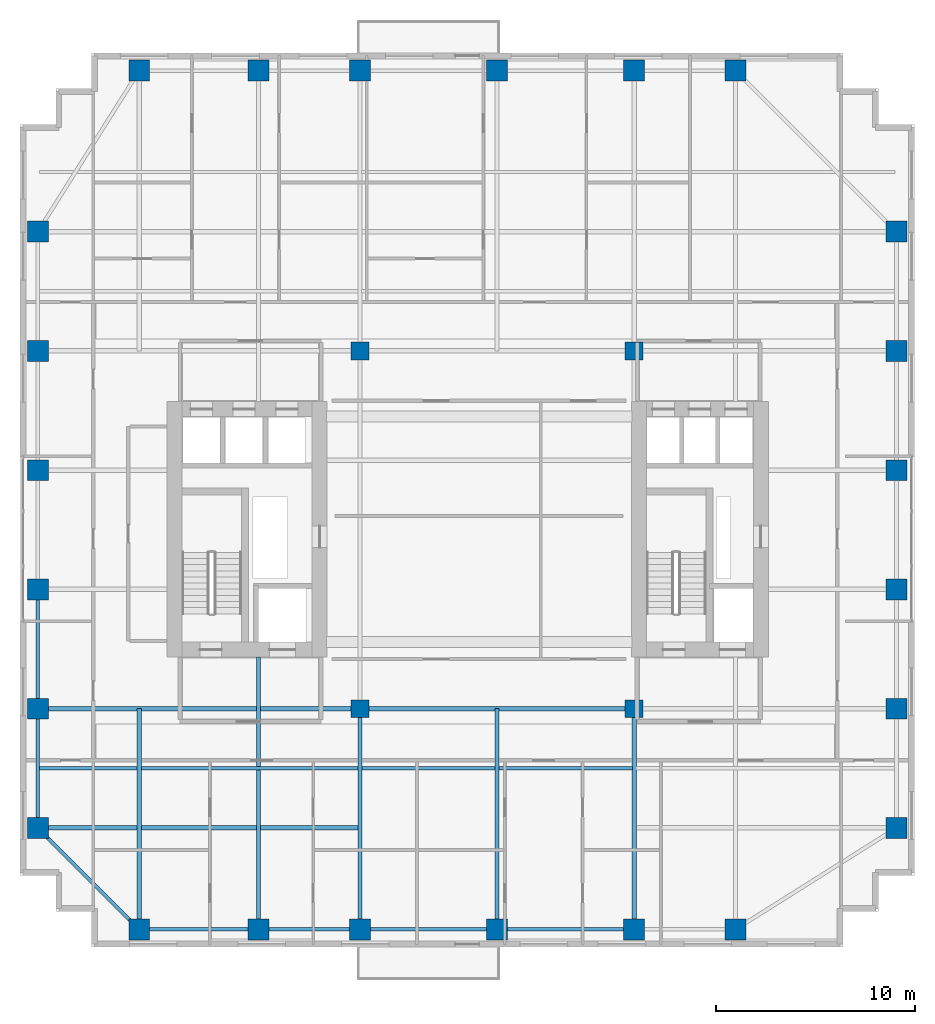
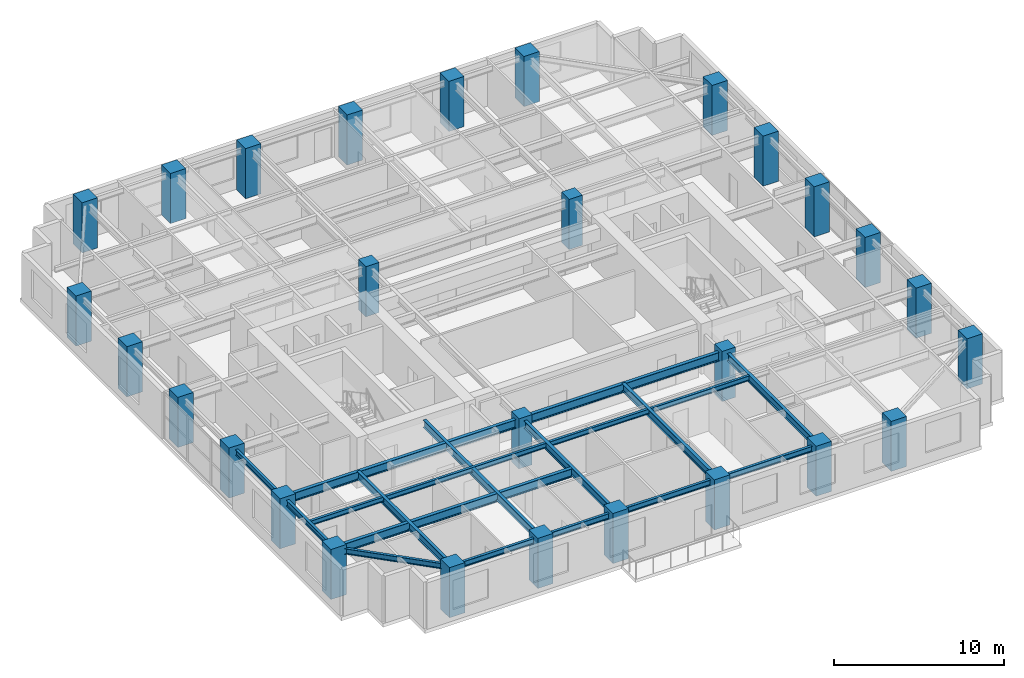
# One storey, part 1 of 16: 28 columns, 17 beams.
"""IFC4 building model written with IfcOpenShell, lengths in metres."""

from ifc_helpers import new_model, si_unit, direction, frame, origin, origin_2d, place, context, subcontext, project, spatial, rectangle, i_section, extrude, source, transform, mapped, material, material_profile, profile_set, type_object, element, save


model = new_model("IFC4")

# Units and contexts
model_context = context("Model", 3, precision=1e-05, world=origin(), true_north=direction((0.0, 1.0)))
body_context = subcontext(model_context, "Body", "Model", "MODEL_VIEW")
ifc_project = project(units=[si_unit("LENGTHUNIT", "METRE"), si_unit("AREAUNIT", "SQUARE_METRE"), si_unit("VOLUMEUNIT", "CUBIC_METRE"), si_unit("PLANEANGLEUNIT", "RADIAN"), si_unit("MASSUNIT", "GRAM", prefix="KILO")], contexts=[model_context])

# Site, building, storey
site_placement = place(None, origin())
site = spatial("IfcSite", under=ifc_project, at=site_placement, CompositionType="ELEMENT")
building_placement = place(site_placement, origin())
building = spatial("IfcBuilding", under=site, at=building_placement, Name="Khoralis Quay Care Tower", CompositionType="ELEMENT")
storey_placement = place(building_placement, frame((0.0, 0.0, 137.699951171875)))
storey = spatial("IfcBuildingStorey", under=building, at=storey_placement, Name="L36", CompositionType="ELEMENT", Elevation=137.699951171875)

# Columns
ifc_material_1 = material(Name="Concrete C65/80", Category="concrete")
ifc_material_profile_1 = material_profile(ifc_material_1, rectangle(XDim=1.050048828125, YDim=1.050048828125, at=origin_2d()), Name="Concrete C65/80")
ifc_profile_set_1 = profile_set([ifc_material_profile_1], Name="Concrete C65/80")
column_type_1 = type_object("IfcColumnType", Name="COL-C1050", PredefinedType="COLUMN", material=ifc_profile_set_1)
shared_shape_1 = source(origin(), body_context, "Body", "SweptSolid", [
    extrude(rectangle(XDim=1.050048828125, YDim=1.050048828125, at=origin_2d()), origin(), (0.0, 0.0, 1.0), 3.60009765625),
])
for number, where, z_axis, x_axis, name in (
    (1, (6.0, 0.89990234375, 0.0), (0.0, 0.0, 1.0), (1.0, 0.0, 0.0), "COL-TWR-L36-01"),
    (2, (6.0, 44.10009765625, 0.0), (0.0, 0.0, 1.0), (1.0, 0.0, 0.0), "COL-TWR-L36-02"),
    (3, (12.0, 0.89990234375, 0.0), (0.0, 0.0, 1.0), (1.0, 0.0, 0.0), "COL-TWR-L36-03"),
    (4, (12.0, 44.10009765625, 0.0), (0.0, 0.0, 1.0), (1.0, 0.0, 0.0), "COL-TWR-L36-04"),
    (5, (17.10009765625, 0.89990234375, 0.0), (0.0, 0.0, 1.0), (1.0, 0.0, 0.0), "COL-TWR-L36-05"),
    (6, (17.10009765625, 44.10009765625, 0.0), (0.0, 0.0, 1.0), (1.0, 0.0, 0.0), "COL-TWR-L36-06"),
    (7, (24.0, 0.89990234375, 0.0), (0.0, 0.0, 1.0), (1.0, 0.0, 0.0), "COL-TWR-L36-07"),
    (8, (24.0, 44.10009765625, 0.0), (0.0, 0.0, 1.0), (1.0, 0.0, 0.0), "COL-TWR-L36-08"),
    (9, (30.89990234375, 0.89990234375, 0.0), (0.0, 0.0, 1.0), (1.0, 0.0, 0.0), "COL-TWR-L36-09"),
    (10, (30.89990234375, 44.10009765625, 0.0), (0.0, 0.0, 1.0), (1.0, 0.0, 0.0), "COL-TWR-L36-10"),
    (11, (36.0, 0.89990234375, 0.0), (0.0, 0.0, 1.0), (1.0, 0.0, 0.0), "COL-TWR-L36-11"),
    (12, (36.0, 44.10009765625, 0.0), (0.0, 0.0, 1.0), (1.0, 0.0, 0.0), "COL-TWR-L36-12"),
    (13, (0.89990234375, 6.0, 0.0), (0.0, 0.0, 1.0), (1.0, 0.0, 0.0), "COL-TWR-L36-13"),
    (14, (44.10009765625, 6.0, 0.0), (0.0, 0.0, 1.0), (1.0, 0.0, 0.0), "COL-TWR-L36-14"),
    (15, (0.89990234375, 12.0, 0.0), (0.0, 0.0, 1.0), (1.0, 0.0, 0.0), "COL-TWR-L36-15"),
    (16, (44.10009765625, 12.0, 0.0), (0.0, 0.0, 1.0), (1.0, 0.0, 0.0), "COL-TWR-L36-16"),
    (17, (0.89990234375, 18.0, 0.0), (0.0, 0.0, 1.0), (1.0, 0.0, 0.0), "COL-TWR-L36-17"),
    (18, (44.10009765625, 18.0, 0.0), (0.0, 0.0, 1.0), (1.0, 0.0, 0.0), "COL-TWR-L36-18"),
    (19, (0.89990234375, 24.0, 0.0), (0.0, 0.0, 1.0), (1.0, 0.0, 0.0), "COL-TWR-L36-19"),
    (20, (44.10009765625, 24.0, 0.0), (0.0, 0.0, 1.0), (1.0, 0.0, 0.0), "COL-TWR-L36-20"),
    (21, (0.89990234375, 30.0, 0.0), (0.0, 0.0, 1.0), (1.0, 0.0, 0.0), "COL-TWR-L36-21"),
    (22, (44.10009765625, 30.0, 0.0), (0.0, 0.0, 1.0), (1.0, 0.0, 0.0), "COL-TWR-L36-22"),
    (23, (0.89990234375, 36.0, 0.0), (0.0, 0.0, 1.0), (1.0, 0.0, 0.0), "COL-TWR-L36-23"),
    (24, (44.10009765625, 36.0, 0.0), (0.0, 0.0, 1.0), (1.0, 0.0, 0.0), "COL-TWR-L36-24"),
):
    element("IfcColumn", number, at=place(storey_placement, frame(where, z_axis=z_axis, x_axis=x_axis)), inside=storey, type_object=column_type_1, Name=name, PredefinedType="COLUMN", context=body_context, shape_type="MappedRepresentation", body=[
        mapped(shared_shape_1, transform((0.0, 0.0, 0.0), scale=1.0)),
    ])
ifc_material_profile_2 = material_profile(ifc_material_1, rectangle(XDim=0.89990234375, YDim=0.89990234375, at=origin_2d()), Name="Concrete C65/80")
ifc_profile_set_2 = profile_set([ifc_material_profile_2], Name="Concrete C65/80")
column_type_2 = type_object("IfcColumnType", Name="COL-C900", PredefinedType="COLUMN", material=ifc_profile_set_2)
shared_shape_2 = source(origin(), body_context, "Body", "SweptSolid", [
    extrude(rectangle(XDim=0.89990234375, YDim=0.89990234375, at=origin_2d()), origin(), (0.0, 0.0, 1.0), 3.60009765625),
])
for number, where, z_axis, x_axis, name in (
    (25, (17.10009765625, 12.0, 0.0), (0.0, 0.0, 1.0), (1.0, 0.0, 0.0), "COL-TWR-L36-25"),
    (26, (17.10009765625, 30.0, 0.0), (0.0, 0.0, 1.0), (1.0, 0.0, 0.0), "COL-TWR-L36-26"),
    (27, (30.89990234375, 12.0, 0.0), (0.0, 0.0, 1.0), (1.0, 0.0, 0.0), "COL-TWR-L36-27"),
    (28, (30.89990234375, 30.0, 0.0), (0.0, 0.0, 1.0), (1.0, 0.0, 0.0), "COL-TWR-L36-28"),
):
    element("IfcColumn", number, at=place(storey_placement, frame(where, z_axis=z_axis, x_axis=x_axis)), inside=storey, type_object=column_type_2, Name=name, PredefinedType="COLUMN", context=body_context, shape_type="MappedRepresentation", body=[
        mapped(shared_shape_2, transform((0.0, 0.0, 0.0), scale=1.0)),
    ])

# Beams
ifc_material_2 = material(Name="Steel S355", Category="steel")
ifc_material_profile_3 = material_profile(ifc_material_2, i_section(OverallWidth=0.179931640625, OverallDepth=0.39990234375, WebThickness=0.008544921875, FlangeThickness=0.013427734375, FilletRadius=0.02099609375, at=origin_2d()), Name="Steel S355")
ifc_profile_set_3 = profile_set([ifc_material_profile_3], Name="Steel S355")
beam_type_1 = type_object("IfcBeamType", Name="BM-IPE400", PredefinedType="SPANDREL", material=ifc_profile_set_3)
shared_shape_3 = source(origin(), body_context, "Body", "SweptSolid", [
    extrude(i_section(OverallWidth=0.179931640625, OverallDepth=0.39990234375, WebThickness=0.008544921875, FlangeThickness=0.013427734375, FilletRadius=0.02099609375, at=origin_2d()), origin(), (0.0, 0.0, 1.0), 6.0),
])
for number, where, z_axis, x_axis, name in (
    (29, (6.0, 0.89990234375, 3.14013671875), (1.0, 0.0, 0.0), (0.0, 1.0, 0.0), "BM-TSP-L36-01"),
    (30, (0.89990234375, 6.0, 3.14013671875), (0.0, 1.0, 0.0), (-1.0, 0.0, 0.0), "BM-TSP-L36-11"),
    (31, (0.89990234375, 12.0, 3.14013671875), (0.0, 1.0, 0.0), (-1.0, 0.0, 0.0), "BM-TSP-L36-12"),
):
    element("IfcBeam", number, at=place(storey_placement, frame(where, z_axis=z_axis, x_axis=x_axis)), inside=storey, type_object=beam_type_1, Name=name, PredefinedType="SPANDREL", context=body_context, shape_type="MappedRepresentation", body=[
        mapped(shared_shape_3, transform((0.0, 0.0, 0.0), scale=1.0)),
    ])
shared_shape_4 = source(origin(), body_context, "Body", "SweptSolid", [
    extrude(i_section(OverallWidth=0.179931640625, OverallDepth=0.39990234375, WebThickness=0.008544921875, FlangeThickness=0.013427734375, FilletRadius=0.02099609375, at=origin_2d()), origin(), (0.0, 0.0, 1.0), 5.10009765625),
])
beam_1_placement = place(storey_placement, frame((12.0, 0.89990234375, 3.14013671875), z_axis=(1.0, 0.0, 0.0), x_axis=(0.0, 1.0, 0.0)))
element("IfcBeam", 32, at=beam_1_placement, inside=storey, type_object=beam_type_1, Name="BM-TSP-L36-02", PredefinedType="SPANDREL", context=body_context, shape_type="MappedRepresentation", body=[
    mapped(shared_shape_4, transform((0.0, 0.0, 0.0), scale=1.0)),
])
shared_shape_5 = source(origin(), body_context, "Body", "SweptSolid", [
    extrude(i_section(OverallWidth=0.179931640625, OverallDepth=0.39990234375, WebThickness=0.008544921875, FlangeThickness=0.013427734375, FilletRadius=0.02099609375, at=origin_2d()), origin(), (0.0, 0.0, 1.0), 6.89990234375),
])
for number, where, z_axis, x_axis, name in (
    (33, (17.10009765625, 0.89990234375, 3.14013671875), (1.0, 0.0, 0.0), (0.0, 1.0, 0.0), "BM-TSP-L36-03"),
    (34, (24.0, 0.89990234375, 3.14013671875), (1.0, 0.0, 0.0), (0.0, 1.0, 0.0), "BM-TSP-L36-04"),
):
    element("IfcBeam", number, at=place(storey_placement, frame(where, z_axis=z_axis, x_axis=x_axis)), inside=storey, type_object=beam_type_1, Name=name, PredefinedType="SPANDREL", context=body_context, shape_type="MappedRepresentation", body=[
        mapped(shared_shape_5, transform((0.0, 0.0, 0.0), scale=1.0)),
    ])
shared_shape_6 = source(origin(), body_context, "Body", "SweptSolid", [
    extrude(i_section(OverallWidth=0.179931640625, OverallDepth=0.39990234375, WebThickness=0.008544921875, FlangeThickness=0.013427734375, FilletRadius=0.02099609375, at=origin_2d()), origin(), (0.0, 0.0, 1.0), 7.212646484375),
])
beam_2_placement = place(storey_placement, frame((6.0, 0.89990234375, 3.14013671875), z_axis=(-0.707106781187, 0.707106781187, 0.0), x_axis=(-0.707106781187, -0.707106781187, 0.0)))
element("IfcBeam", 35, at=beam_2_placement, inside=storey, type_object=beam_type_1, Name="BM-TCR-L36-21", PredefinedType="SPANDREL", context=body_context, shape_type="MappedRepresentation", body=[
    mapped(shared_shape_6, transform((0.0, 0.0, 0.0), scale=1.0)),
])
ifc_material_profile_4 = material_profile(ifc_material_2, i_section(OverallWidth=0.22998046875, OverallDepth=0.616943359375, WebThickness=0.01318359375, FlangeThickness=0.022216796875, FilletRadius=0.01806640625, at=origin_2d()), Name="Steel S355")
ifc_profile_set_4 = profile_set([ifc_material_profile_4], Name="Steel S355")
beam_type_2 = type_object("IfcBeamType", Name="BM-W610X140", PredefinedType="BEAM", material=ifc_profile_set_4)
shared_shape_7 = source(origin(), body_context, "Body", "SweptSolid", [
    extrude(i_section(OverallWidth=0.22998046875, OverallDepth=0.616943359375, WebThickness=0.01318359375, FlangeThickness=0.022216796875, FilletRadius=0.01806640625, at=origin_2d()), origin(), (0.0, 0.0, 1.0), 16.106201171875),
])
beam_3_placement = place(storey_placement, frame((0.89990234375, 6.0, 3.031494140625), z_axis=(1.0, 0.0, 0.0), x_axis=(0.0, 1.0, 0.0)))
element("IfcBeam", 36, at=beam_3_placement, inside=storey, type_object=beam_type_2, Name="BM-TGXW-L36-60", PredefinedType="BEAM", context=body_context, shape_type="MappedRepresentation", body=[
    mapped(shared_shape_7, transform((0.0, 0.0, 0.0), scale=1.0)),
])
shared_shape_8 = source(origin(), body_context, "Body", "SweptSolid", [
    extrude(i_section(OverallWidth=0.22998046875, OverallDepth=0.616943359375, WebThickness=0.01318359375, FlangeThickness=0.022216796875, FilletRadius=0.01806640625, at=origin_2d()), origin(), (0.0, 0.0, 1.0), 16.2001953125),
])
beam_4_placement = place(storey_placement, frame((0.89990234375, 12.0, 3.031494140625), z_axis=(1.0, 0.0, 0.0), x_axis=(0.0, 1.0, 0.0)))
element("IfcBeam", 37, at=beam_4_placement, inside=storey, type_object=beam_type_2, Name="BM-TGXW-L36-120", PredefinedType="BEAM", context=body_context, shape_type="MappedRepresentation", body=[
    mapped(shared_shape_8, transform((0.0, 0.0, 0.0), scale=1.0)),
])
shared_shape_9 = source(origin(), body_context, "Body", "SweptSolid", [
    extrude(i_section(OverallWidth=0.22998046875, OverallDepth=0.616943359375, WebThickness=0.01318359375, FlangeThickness=0.022216796875, FilletRadius=0.01806640625, at=origin_2d()), origin(), (0.0, 0.0, 1.0), 13.7998046875),
])
beam_5_placement = place(storey_placement, frame((17.10009765625, 12.0, 3.031494140625), z_axis=(1.0, 0.0, 0.0), x_axis=(0.0, 1.0, 0.0)))
element("IfcBeam", 38, at=beam_5_placement, inside=storey, type_object=beam_type_2, Name="BM-TGCC-L36-120", PredefinedType="BEAM", context=body_context, shape_type="MappedRepresentation", body=[
    mapped(shared_shape_9, transform((0.0, 0.0, 0.0), scale=1.0)),
])
ifc_material_profile_5 = material_profile(ifc_material_2, i_section(OverallWidth=0.2119140625, OverallDepth=0.5439453125, WebThickness=0.01318359375, FlangeThickness=0.021240234375, FilletRadius=0.01611328125, at=origin_2d()), Name="Steel S355")
ifc_profile_set_5 = profile_set([ifc_material_profile_5], Name="Steel S355")
beam_type_3 = type_object("IfcBeamType", Name="BM-W530X123", PredefinedType="BEAM", material=ifc_profile_set_5)
shared_shape_10 = source(origin(), body_context, "Body", "SweptSolid", [
    extrude(i_section(OverallWidth=0.2119140625, OverallDepth=0.5439453125, WebThickness=0.01318359375, FlangeThickness=0.021240234375, FilletRadius=0.01611328125, at=origin_2d()), origin(), (0.0, 0.0, 1.0), 11.10009765625),
])
for number, where, z_axis, x_axis, name in (
    (39, (6.0, 0.89990234375, 3.068115234375), (0.0, 1.0, 0.0), (-1.0, 0.0, 0.0), "BM-TGYS-L36-60"),
    (40, (17.10009765625, 0.89990234375, 3.068115234375), (0.0, 1.0, 0.0), (-1.0, 0.0, 0.0), "BM-TGYS-L36-171"),
    (41, (24.0, 0.89990234375, 3.068115234375), (0.0, 1.0, 0.0), (-1.0, 0.0, 0.0), "BM-TGYS-L36-240"),
    (42, (30.89990234375, 0.89990234375, 3.068115234375), (0.0, 1.0, 0.0), (-1.0, 0.0, 0.0), "BM-TGYS-L36-309"),
):
    element("IfcBeam", number, at=place(storey_placement, frame(where, z_axis=z_axis, x_axis=x_axis)), inside=storey, type_object=beam_type_3, Name=name, PredefinedType="BEAM", context=body_context, shape_type="MappedRepresentation", body=[
        mapped(shared_shape_10, transform((0.0, 0.0, 0.0), scale=1.0)),
    ])
shared_shape_11 = source(origin(), body_context, "Body", "SweptSolid", [
    extrude(i_section(OverallWidth=0.2119140625, OverallDepth=0.5439453125, WebThickness=0.01318359375, FlangeThickness=0.021240234375, FilletRadius=0.01611328125, at=origin_2d()), origin(), (0.0, 0.0, 1.0), 13.7021484375),
])
beam_6_placement = place(storey_placement, frame((12.0, 0.89990234375, 3.068115234375), z_axis=(0.0, 1.0, 0.0), x_axis=(-1.0, 0.0, 0.0)))
element("IfcBeam", 43, at=beam_6_placement, inside=storey, type_object=beam_type_3, Name="BM-TGYS-L36-120", PredefinedType="BEAM", context=body_context, shape_type="MappedRepresentation", body=[
    mapped(shared_shape_11, transform((0.0, 0.0, 0.0), scale=1.0)),
])
ifc_material_profile_6 = material_profile(ifc_material_2, i_section(OverallWidth=0.1708984375, OverallDepth=0.35498046875, WebThickness=0.007080078125, FlangeThickness=0.01171875, FilletRadius=0.012939453125, at=origin_2d()), Name="Steel S355")
ifc_profile_set_6 = profile_set([ifc_material_profile_6], Name="Steel S355")
beam_type_4 = type_object("IfcBeamType", Name="BM-W360X51", PredefinedType="JOIST", material=ifc_profile_set_6)
shared_shape_12 = source(origin(), body_context, "Body", "SweptSolid", [
    extrude(i_section(OverallWidth=0.1708984375, OverallDepth=0.35498046875, WebThickness=0.007080078125, FlangeThickness=0.01171875, FilletRadius=0.012939453125, at=origin_2d()), origin(), (0.0, 0.0, 1.0), 16.030029296875),
])
beam_7_placement = place(storey_placement, frame((0.97607421875, 9.0, 3.16259765625), z_axis=(1.0, 0.0, 0.0), x_axis=(0.0, 1.0, 0.0)))
element("IfcBeam", 44, at=beam_7_placement, inside=storey, type_object=beam_type_4, Name="BM-TJS-L36-25", PredefinedType="JOIST", context=body_context, shape_type="MappedRepresentation", body=[
    mapped(shared_shape_12, transform((0.0, 0.0, 0.0), scale=1.0)),
])
shared_shape_13 = source(origin(), body_context, "Body", "SweptSolid", [
    extrude(i_section(OverallWidth=0.1708984375, OverallDepth=0.35498046875, WebThickness=0.007080078125, FlangeThickness=0.01171875, FilletRadius=0.012939453125, at=origin_2d()), origin(), (0.0, 0.0, 1.0), 13.61181640625),
])
beam_8_placement = place(storey_placement, frame((17.194091796875, 9.0, 3.16259765625), z_axis=(1.0, 0.0, 0.0), x_axis=(0.0, 1.0, 0.0)))
element("IfcBeam", 45, at=beam_8_placement, inside=storey, type_object=beam_type_4, Name="BM-TJS-L36-27", PredefinedType="JOIST", context=body_context, shape_type="MappedRepresentation", body=[
    mapped(shared_shape_13, transform((0.0, 0.0, 0.0), scale=1.0)),
])

save(model, "model.ifc")
